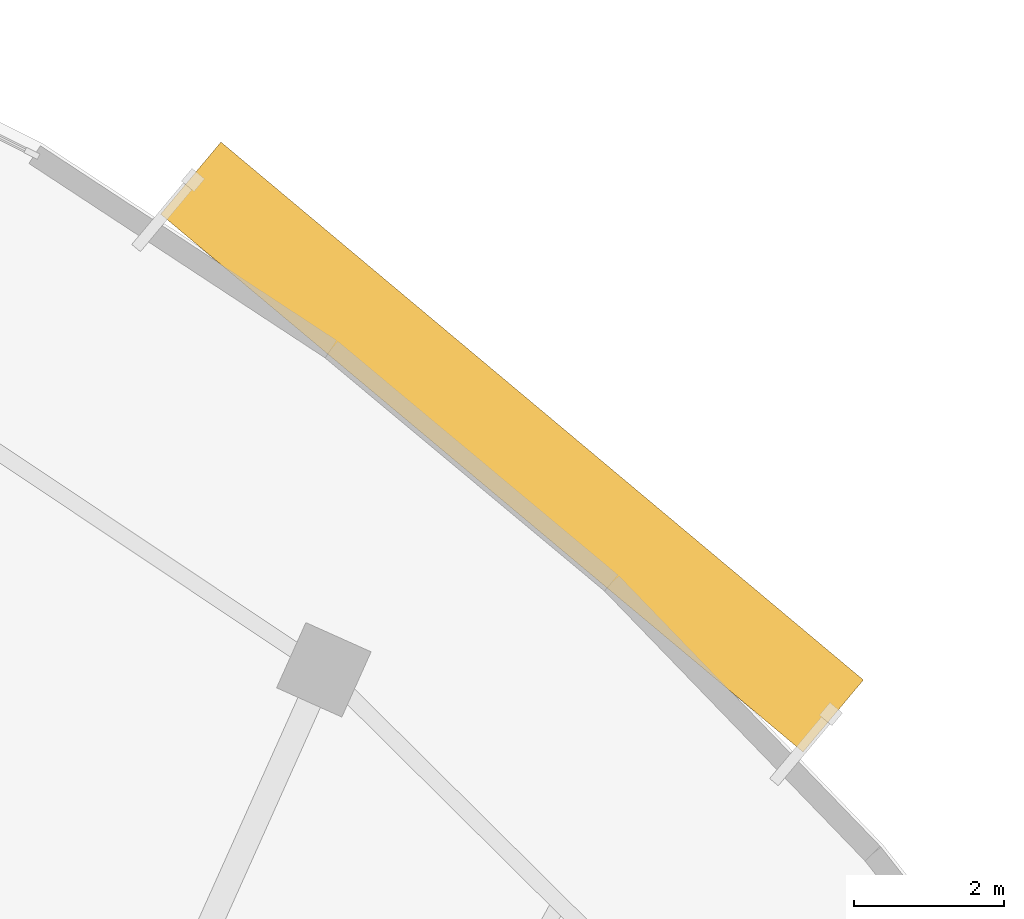
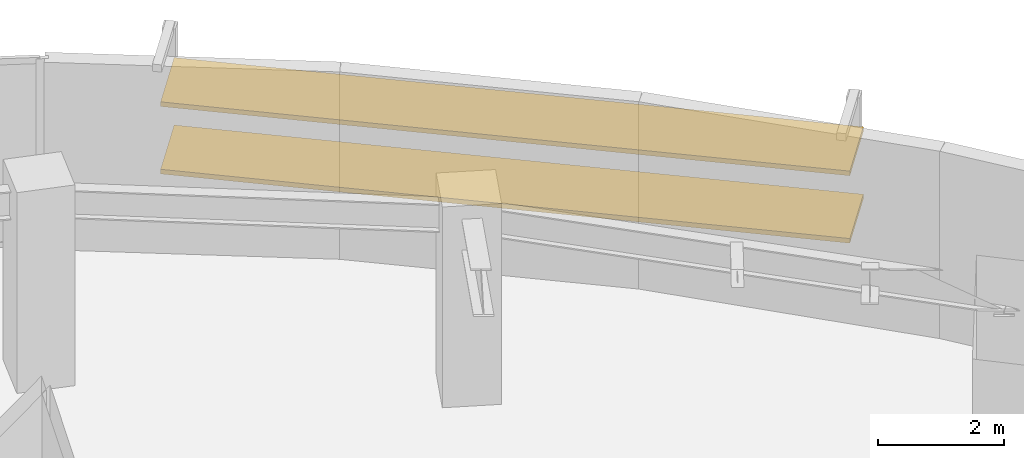
# One storey, part 14 of 14: 2 shading devices.
"""IFC4 building model written with IfcOpenShell, lengths in metres."""

from ifc_helpers import new_model, si_unit, direction, frame, origin, origin_2d, place, context, subcontext, project, spatial, rectangle, extrude, source, transform, mapped, material, material_profile, profile_set, type_object, element, save


model = new_model("IFC4")

# Units and contexts
model_context = context("Model", 3, precision=1e-05, world=origin(), true_north=direction((0.0, 1.0)))
body_context = subcontext(model_context, "Body", "Model", "MODEL_VIEW")
ifc_project = project(units=[si_unit("LENGTHUNIT", "METRE"), si_unit("AREAUNIT", "SQUARE_METRE"), si_unit("VOLUMEUNIT", "CUBIC_METRE"), si_unit("PLANEANGLEUNIT", "RADIAN"), si_unit("MASSUNIT", "GRAM", prefix="KILO")], contexts=[model_context])

# Site, building, storey
site_placement = place(None, origin())
site = spatial("IfcSite", under=ifc_project, at=site_placement, CompositionType="ELEMENT")
building_placement = place(site_placement, origin())
building = spatial("IfcBuilding", under=site, at=building_placement, Name="Breltana Convention Tower", CompositionType="ELEMENT")
storey_placement = place(building_placement, frame((0.0, 0.0, 207.89990234375)))
storey = spatial("IfcBuildingStorey", under=building, at=storey_placement, Name="L50", CompositionType="ELEMENT", Elevation=207.89990234375)

# Shading devices
ifc_material = material(Name="Limestone Warm Buff Honed", Category="masonry")
ifc_material_profile = material_profile(ifc_material, rectangle(XDim=1.25, YDim=0.090087890625, at=origin_2d()), Name="STN-LVR-1250X90")
ifc_profile_set = profile_set([ifc_material_profile], Name="Limestone Warm Buff Honed")
shading_device_type = type_object("IfcShadingDeviceType", Name="SHD-OUTER-SKIN-LIMESTONE-1250", PredefinedType="JALOUSIE", material=ifc_profile_set)
shared_shape = source(origin(), body_context, "Body", "SweptSolid", [
    extrude(rectangle(XDim=1.25, YDim=0.090087890625, at=origin_2d()), origin(), (0.0, 0.0, 1.0), 11.138671875),
])
for number, where, z_axis, x_axis, name in (
    (1, (67.141357421875, 75.169921875, 1.310546875), (0.76671903432, -0.641982805386, 0.0), (0.641982805386, 0.76671903432, 0.0), "L50 outer skin warm limestone louvre 2.1"),
    (2, (67.141357421875, 75.169921875, 2.620849609375), (0.76671903432, -0.641982805386, 0.0), (0.641982805386, 0.76671903432, 0.0), "L50 outer skin warm limestone louvre 2.2"),
):
    element("IfcShadingDevice", number, at=place(storey_placement, frame(where, z_axis=z_axis, x_axis=x_axis)), inside=storey, type_object=shading_device_type, Name=name, PredefinedType="JALOUSIE", context=body_context, shape_type="MappedRepresentation", body=[
        mapped(shared_shape, transform((0.0, 0.0, 0.0), scale=1.0)),
    ])

save(model, "model.ifc")
